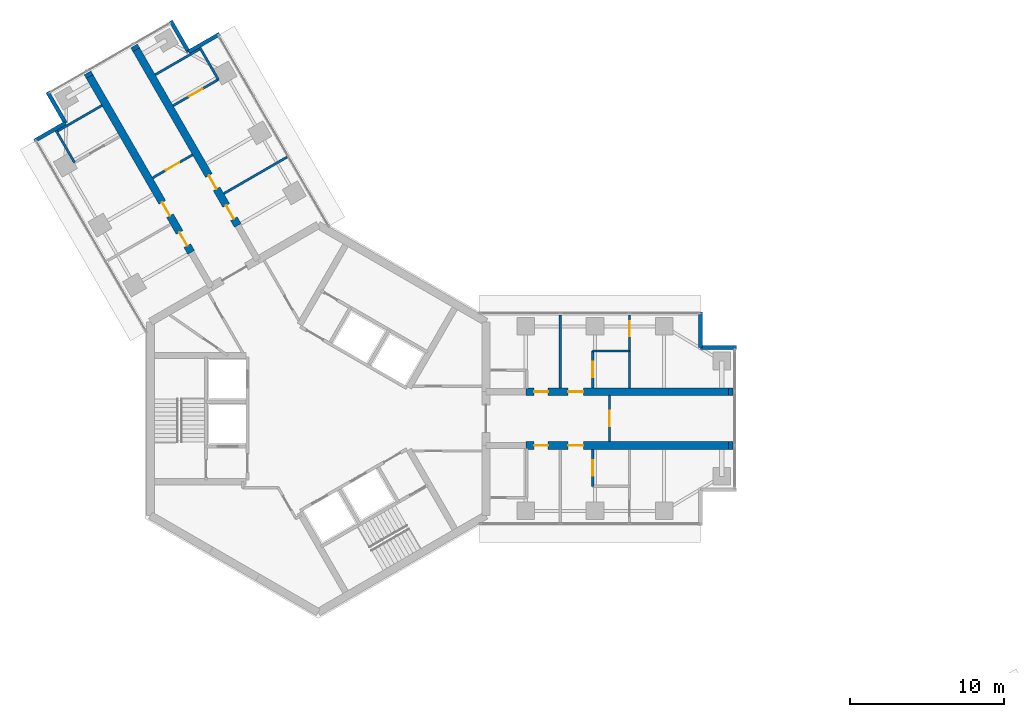
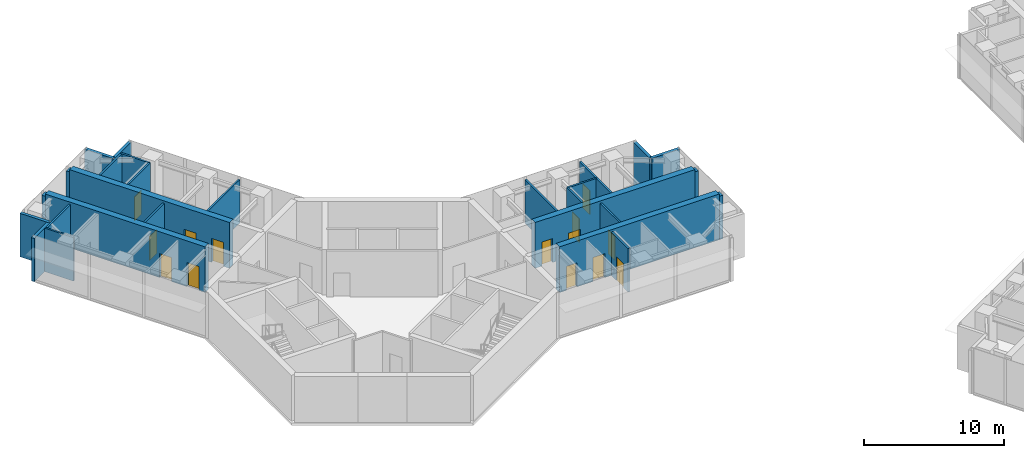
# One storey, part 13 of 17: 27 walls, 14 doors, 14 openings.
"""IFC4 building model written with IfcOpenShell, lengths in metres."""

from ifc_helpers import new_model, si_unit, direction, frame, frame_2d, origin, place, context, subcontext, project, spatial, rectangle, extrude, material, layer, layer_set, type_object, element, fill, save


model = new_model("IFC4")

# Units and contexts
model_context = context("Model", 3, precision=1e-05, world=origin(), true_north=direction((0.0, 1.0)))
body_context = subcontext(model_context, "Body", "Model", "MODEL_VIEW")
ifc_project = project(units=[si_unit("LENGTHUNIT", "METRE"), si_unit("AREAUNIT", "SQUARE_METRE"), si_unit("VOLUMEUNIT", "CUBIC_METRE"), si_unit("PLANEANGLEUNIT", "RADIAN"), si_unit("MASSUNIT", "GRAM", prefix="KILO")], contexts=[model_context])

# Site, building, storey
site_placement = place(None, origin())
site = spatial("IfcSite", under=ifc_project, at=site_placement, CompositionType="ELEMENT")
building_placement = place(site_placement, origin())
building = spatial("IfcBuilding", under=site, at=building_placement, Name="Upepo Twin Towers", CompositionType="ELEMENT")
storey_placement = place(building_placement, frame((0.0, 0.0, 214.5)))
storey = spatial("IfcBuildingStorey", under=building, at=storey_placement, Name="L52", CompositionType="ELEMENT", Elevation=214.5)

# Walls
ifc_material_1 = material(Name="Dense concrete blockwork", Category="masonry")
ifc_layer_1 = layer(ifc_material_1, 0.5)
ifc_layer_set_1 = layer_set([ifc_layer_1], Name="Buttress closer 500, blockwork with fire-stopping to the curtain wall")
wall_type_1 = type_object("IfcWallType", Name="Buttress closer 500, blockwork with fire-stopping to the curtain wall", PredefinedType="PARTITIONING", material=ifc_layer_set_1)
for number, where, z_axis, x_axis, name in (
    (1, (26.699951171875, 1.75, 0.0), (0.0, 0.0, 1.0), (1.0, 0.0, 0.0), "T1 L52 wing A buttress closer L"),
    (2, (26.699951171875, -1.75, 0.0), (0.0, 0.0, 1.0), (1.0, 0.0, 0.0), "T1 L52 wing A buttress closer R"),
    (3, (-14.865478515625, 22.247802734375, 0.0), (0.0, 0.0, 1.0), (-0.500065409566, 0.86598763626, 0.0), "T1 L52 wing B buttress closer L"),
    (4, (-11.83447265625, 23.997802734375, 0.0), (0.0, 0.0, 1.0), (-0.500065409566, 0.86598763626, 0.0), "T1 L52 wing B buttress closer R"),
):
    element("IfcWall", number, at=place(storey_placement, frame(where, z_axis=z_axis, x_axis=x_axis)), inside=storey, type_object=wall_type_1, Name=name, PredefinedType="PARTITIONING", context=body_context, shape_type="SweptSolid", body=[
        extrude(rectangle(XDim=0.28759765625, YDim=0.5, at=frame_2d((0.143798828125, 0.0))), origin(), (0.0, 0.0, 1.0), 3.800048828125),
    ])

# Wall, openings, doors
ifc_material_2 = material(Name="Concrete C60/75", Category="concrete")
ifc_layer_2 = layer(ifc_material_2, 0.5)
ifc_layer_set_2 = layer_set([ifc_layer_2], Name="Concrete C60/75")
wall_type_2 = type_object("IfcWallType", Name="Buttress wall 500 RC", PredefinedType="SHEAR", material=ifc_layer_set_2)
wall_1_placement = place(storey_placement, frame((13.5, 1.75, 0.0), z_axis=(0.0, 0.0, 1.0), x_axis=(1.0, 0.0, 0.0)))
wall_1 = element("IfcWall", 5, at=wall_1_placement, inside=storey, type_object=wall_type_2, Name="T1 wing A buttress wall L part 2", PredefinedType="SHEAR", context=body_context, shape_type="SweptSolid", body=[
    extrude(rectangle(XDim=13.199951171875, YDim=0.5, at=frame_2d((6.60009765625, 0.0))), origin(), (0.0, 0.0, 1.0), 4.0),
])
opening_1_placement = place(wall_1_placement, frame((0.550048828125, 0.0, 0.0)))
opening_1 = element("IfcOpeningElement", 6, at=opening_1_placement, cuts=wall_1, Name="Opening D11", PredefinedType="OPENING", context=body_context, shape_type="SweptSolid", body=[
    extrude(rectangle(XDim=0.89990234375, YDim=2.10009765625, at=frame_2d((0.449951171875, 1.050048828125))), frame((0.0, 0.260009765625, 0.0), z_axis=(0.0, -1.0, 0.0), x_axis=(1.0, 0.0, 0.0)), (0.0, 0.0, 1.0), 0.52001953125),
])
opening_2_placement = place(wall_1_placement, frame((2.75, 0.0, 0.0)))
opening_2 = element("IfcOpeningElement", 7, at=opening_2_placement, cuts=wall_1, Name="Opening D1", PredefinedType="OPENING", context=body_context, shape_type="SweptSolid", body=[
    extrude(rectangle(XDim=1.0, YDim=2.10009765625, at=frame_2d((0.5, 1.050048828125))), frame((0.0, 0.260009765625, 0.0), z_axis=(0.0, -1.0, 0.0), x_axis=(1.0, 0.0, 0.0)), (0.0, 0.0, 1.0), 0.52001953125),
])
ifc_material_3 = material(Name="Timber doorset", Category="wood")
door_type_1 = type_object("IfcDoorType", Name="Room door 1000 FD30", OperationType="SINGLE_SWING_LEFT", PredefinedType="DOOR", material=ifc_material_3)
door_1_placement = place(opening_2_placement, origin())
door_1 = element("IfcDoor", 8, at=door_1_placement, inside=storey, type_object=door_type_1, Name="T1 L52 seminar room door", OperationType="SINGLE_SWING_LEFT", OverallHeight=2.10009765625, OverallWidth=1.0, PredefinedType="DOOR", context=body_context, shape_type="SweptSolid", body=[
    extrude(rectangle(XDim=1.0, YDim=2.10009765625, at=frame_2d((0.5, 1.050048828125))), frame((0.0, 0.02490234375, 0.0), z_axis=(0.0, -1.0, 0.0), x_axis=(1.0, 0.0, 0.0)), (0.0, 0.0, 1.0), 0.050048828125),
])
fill(opening_2, door_1)
ifc_material_4 = material(Name="Timber doorset", Category="wood")
door_type_2 = type_object("IfcDoorType", Name="Toilet door 900", OperationType="SINGLE_SWING_LEFT", PredefinedType="DOOR", material=ifc_material_4)
door_2_placement = place(opening_1_placement, origin())
door_2 = element("IfcDoor", 9, at=door_2_placement, inside=storey, type_object=door_type_2, Name="T1 L52 toilets door", OperationType="SINGLE_SWING_LEFT", OverallHeight=2.10009765625, OverallWidth=0.89990234375, PredefinedType="DOOR", context=body_context, shape_type="SweptSolid", body=[
    extrude(rectangle(XDim=0.89990234375, YDim=2.10009765625, at=frame_2d((0.449951171875, 1.050048828125))), frame((0.0, 0.02490234375, 0.0), z_axis=(0.0, -1.0, 0.0), x_axis=(1.0, 0.0, 0.0)), (0.0, 0.0, 1.0), 0.050048828125),
])
fill(opening_1, door_2)

wall_2_placement = place(storey_placement, frame((13.5, -1.75, 0.0), z_axis=(0.0, 0.0, 1.0), x_axis=(1.0, 0.0, 0.0)))
wall_2 = element("IfcWall", 10, at=wall_2_placement, inside=storey, type_object=wall_type_2, Name="T1 wing A buttress wall R part 2", PredefinedType="SHEAR", context=body_context, shape_type="SweptSolid", body=[
    extrude(rectangle(XDim=13.199951171875, YDim=0.5, at=frame_2d((6.60009765625, 0.0))), origin(), (0.0, 0.0, 1.0), 4.0),
])
opening_3_placement = place(wall_2_placement, frame((0.550048828125, 0.0, 0.0)))
opening_3 = element("IfcOpeningElement", 11, at=opening_3_placement, cuts=wall_2, Name="Opening D11", PredefinedType="OPENING", context=body_context, shape_type="SweptSolid", body=[
    extrude(rectangle(XDim=0.89990234375, YDim=2.10009765625, at=frame_2d((0.449951171875, 1.050048828125))), frame((0.0, 0.260009765625, 0.0), z_axis=(0.0, -1.0, 0.0), x_axis=(1.0, 0.0, 0.0)), (0.0, 0.0, 1.0), 0.52001953125),
])
opening_4_placement = place(wall_2_placement, frame((2.75, 0.0, 0.0)))
opening_4 = element("IfcOpeningElement", 12, at=opening_4_placement, cuts=wall_2, Name="Opening D1", PredefinedType="OPENING", context=body_context, shape_type="SweptSolid", body=[
    extrude(rectangle(XDim=1.0, YDim=2.10009765625, at=frame_2d((0.5, 1.050048828125))), frame((0.0, 0.260009765625, 0.0), z_axis=(0.0, -1.0, 0.0), x_axis=(1.0, 0.0, 0.0)), (0.0, 0.0, 1.0), 0.52001953125),
])
door_3_placement = place(opening_4_placement, origin())
door_3 = element("IfcDoor", 13, at=door_3_placement, inside=storey, type_object=door_type_1, Name="T1 L52 tutorial room door", OperationType="SINGLE_SWING_LEFT", OverallHeight=2.10009765625, OverallWidth=1.0, PredefinedType="DOOR", context=body_context, shape_type="SweptSolid", body=[
    extrude(rectangle(XDim=1.0, YDim=2.10009765625, at=frame_2d((0.5, 1.050048828125))), frame((0.0, 0.02490234375, 0.0), z_axis=(0.0, -1.0, 0.0), x_axis=(1.0, 0.0, 0.0)), (0.0, 0.0, 1.0), 0.050048828125),
])
fill(opening_4, door_3)
door_4_placement = place(opening_3_placement, origin())
door_4 = element("IfcDoor", 14, at=door_4_placement, inside=storey, type_object=door_type_2, Name="T1 L52 accessible wc door", OperationType="SINGLE_SWING_LEFT", OverallHeight=2.10009765625, OverallWidth=0.89990234375, PredefinedType="DOOR", context=body_context, shape_type="SweptSolid", body=[
    extrude(rectangle(XDim=0.89990234375, YDim=2.10009765625, at=frame_2d((0.449951171875, 1.050048828125))), frame((0.0, 0.02490234375, 0.0), z_axis=(0.0, -1.0, 0.0), x_axis=(1.0, 0.0, 0.0)), (0.0, 0.0, 1.0), 0.050048828125),
])
fill(opening_3, door_4)

wall_3_placement = place(storey_placement, frame((-8.265625, 10.81640625, 0.0), z_axis=(0.0, 0.0, 1.0), x_axis=(-0.499996231654, 0.866027579429, 0.0)))
wall_3 = element("IfcWall", 15, at=wall_3_placement, inside=storey, type_object=wall_type_2, Name="T1 wing B buttress wall L part 2", PredefinedType="SHEAR", context=body_context, shape_type="SweptSolid", body=[
    extrude(rectangle(XDim=13.19970703125, YDim=0.5, at=frame_2d((6.599853515625, 0.0))), origin(), (0.0, 0.0, 1.0), 4.0),
])
opening_5_placement = place(wall_3_placement, frame((0.5, 0.0, 0.0)))
opening_5 = element("IfcOpeningElement", 16, at=opening_5_placement, cuts=wall_3, Name="Opening D1", PredefinedType="OPENING", context=body_context, shape_type="SweptSolid", body=[
    extrude(rectangle(XDim=1.0, YDim=2.10009765625, at=frame_2d((0.5, 1.050048828125))), frame((0.0, 0.260009765625, 0.0), z_axis=(0.0, -1.0, 0.0), x_axis=(1.0, 0.0, 0.0)), (0.0, 0.0, 1.0), 0.52001953125),
])
opening_6_placement = place(wall_3_placement, frame((2.75, 0.0, 0.0)))
opening_6 = element("IfcOpeningElement", 17, at=opening_6_placement, cuts=wall_3, Name="Opening D1", PredefinedType="OPENING", context=body_context, shape_type="SweptSolid", body=[
    extrude(rectangle(XDim=1.0, YDim=2.10009765625, at=frame_2d((0.5, 1.050048828125))), frame((0.0, 0.260009765625, 0.0), z_axis=(0.0, -1.0, 0.0), x_axis=(1.0, 0.0, 0.0)), (0.0, 0.0, 1.0), 0.52001953125),
])
door_5_placement = place(opening_5_placement, origin())
door_5 = element("IfcDoor", 18, at=door_5_placement, inside=storey, type_object=door_type_1, Name="T1 L52 seminar room door", OperationType="SINGLE_SWING_LEFT", OverallHeight=2.10009765625, OverallWidth=1.0, PredefinedType="DOOR", context=body_context, shape_type="SweptSolid", body=[
    extrude(rectangle(XDim=1.0, YDim=2.10009765625, at=frame_2d((0.5, 1.050048828125))), frame((0.0, 0.02490234375, 0.0), z_axis=(0.0, -1.0, 0.0), x_axis=(1.0, 0.0, 0.0)), (0.0, 0.0, 1.0), 0.050048828125),
])
fill(opening_5, door_5)
door_6_placement = place(opening_6_placement, origin())
door_6 = element("IfcDoor", 19, at=door_6_placement, inside=storey, type_object=door_type_1, Name="T1 L52 engineering studio door", OperationType="SINGLE_SWING_LEFT", OverallHeight=2.10009765625, OverallWidth=1.0, PredefinedType="DOOR", context=body_context, shape_type="SweptSolid", body=[
    extrude(rectangle(XDim=1.0, YDim=2.10009765625, at=frame_2d((0.5, 1.050048828125))), frame((0.0, 0.02490234375, 0.0), z_axis=(0.0, -1.0, 0.0), x_axis=(1.0, 0.0, 0.0)), (0.0, 0.0, 1.0), 0.050048828125),
])
fill(opening_6, door_6)

wall_4_placement = place(storey_placement, frame((-5.234375, 12.56640625, 0.0), z_axis=(0.0, 0.0, 1.0), x_axis=(-0.500010103361, 0.866019570528, 0.0)))
wall_4 = element("IfcWall", 20, at=wall_4_placement, inside=storey, type_object=wall_type_2, Name="T1 wing B buttress wall R part 2", PredefinedType="SHEAR", context=body_context, shape_type="SweptSolid", body=[
    extrude(rectangle(XDim=13.199951171875, YDim=0.5, at=frame_2d((6.60009765625, 0.0))), origin(), (0.0, 0.0, 1.0), 4.0),
])
opening_7_placement = place(wall_4_placement, frame((0.5, 0.0, 0.0)))
opening_7 = element("IfcOpeningElement", 21, at=opening_7_placement, cuts=wall_4, Name="Opening D1", PredefinedType="OPENING", context=body_context, shape_type="SweptSolid", body=[
    extrude(rectangle(XDim=1.0, YDim=2.10009765625, at=frame_2d((0.5, 1.050048828125))), frame((0.0, 0.260009765625, 0.0), z_axis=(0.0, -1.0, 0.0), x_axis=(1.0, 0.0, 0.0)), (0.0, 0.0, 1.0), 0.52001953125),
])
opening_8_placement = place(wall_4_placement, frame((2.75, 0.0, 0.0)))
opening_8 = element("IfcOpeningElement", 22, at=opening_8_placement, cuts=wall_4, Name="Opening D1", PredefinedType="OPENING", context=body_context, shape_type="SweptSolid", body=[
    extrude(rectangle(XDim=1.0, YDim=2.10009765625, at=frame_2d((0.5, 1.050048828125))), frame((0.0, 0.260009765625, 0.0), z_axis=(0.0, -1.0, 0.0), x_axis=(1.0, 0.0, 0.0)), (0.0, 0.0, 1.0), 0.52001953125),
])
door_7_placement = place(opening_7_placement, origin())
door_7 = element("IfcDoor", 23, at=door_7_placement, inside=storey, type_object=door_type_1, Name="T1 L52 staff office door", OperationType="SINGLE_SWING_LEFT", OverallHeight=2.10009765625, OverallWidth=1.0, PredefinedType="DOOR", context=body_context, shape_type="SweptSolid", body=[
    extrude(rectangle(XDim=1.0, YDim=2.10009765625, at=frame_2d((0.5, 1.050048828125))), frame((0.0, 0.02490234375, 0.0), z_axis=(0.0, -1.0, 0.0), x_axis=(1.0, 0.0, 0.0)), (0.0, 0.0, 1.0), 0.050048828125),
])
fill(opening_7, door_7)
door_8_placement = place(opening_8_placement, origin())
door_8 = element("IfcDoor", 24, at=door_8_placement, inside=storey, type_object=door_type_1, Name="T1 L52 engineering studio door", OperationType="SINGLE_SWING_LEFT", OverallHeight=2.10009765625, OverallWidth=1.0, PredefinedType="DOOR", context=body_context, shape_type="SweptSolid", body=[
    extrude(rectangle(XDim=1.0, YDim=2.10009765625, at=frame_2d((0.5, 1.050048828125))), frame((0.0, 0.02490234375, 0.0), z_axis=(0.0, -1.0, 0.0), x_axis=(1.0, 0.0, 0.0)), (0.0, 0.0, 1.0), 0.050048828125),
])
fill(opening_8, door_8)

# Walls
ifc_material_5 = material(Name="Blockwork with anodised aluminium cladding", Category="masonry")
ifc_layer_3 = layer(ifc_material_5, 0.25)
ifc_layer_set_3 = layer_set([ifc_layer_3], Name="Notch cladding wall 250, pale metal")
wall_type_3 = type_object("IfcWallType", Name="Notch cladding wall 250, pale metal", PredefinedType="STANDARD", material=ifc_layer_set_3)
for number, where, z_axis, x_axis, name in (
    (25, (24.875, 6.949951171875, 0.0), (0.0, 0.0, 1.0), (0.0, -1.0, 0.0), "T1 L52 wing A notch wall L1"),
    (26, (24.875, 4.625, 0.0), (0.0, 0.0, 1.0), (1.0, 0.0, 0.0), "T1 L52 wing A notch wall L2"),
    (27, (-18.456298828125, 18.0673828125, 0.0), (0.0, 0.0, 1.0), (0.865998469481, 0.500046648681, 0.0), "T1 L52 wing B notch wall L1"),
    (28, (-16.44287109375, 19.22998046875, 0.0), (0.0, 0.0, 1.0), (-0.500046648681, 0.865998469481, 0.0), "T1 L52 wing B notch wall L2"),
    (29, (-6.418701171875, 25.017333984375, 0.0), (0.0, 0.0, 1.0), (-0.866043940782, -0.499967891604, 0.0), "T1 L52 wing B notch wall R1"),
    (30, (-8.43212890625, 23.85498046875, 0.0), (0.0, 0.0, 1.0), (-0.500046648681, 0.865998469481, 0.0), "T1 L52 wing B notch wall R2"),
):
    element("IfcWall", number, at=place(storey_placement, frame(where, z_axis=z_axis, x_axis=x_axis)), inside=storey, type_object=wall_type_3, Name=name, PredefinedType="STANDARD", context=body_context, shape_type="SweptSolid", body=[
        extrude(rectangle(XDim=2.324951171875, YDim=0.25, at=frame_2d((1.16259765625, 0.0))), origin(), (0.0, 0.0, 1.0), 3.800048828125),
    ])
ifc_material_6 = material(Name="Gypsum board on steel studs", Category="steel")
ifc_layer_4 = layer(ifc_material_6, 0.14990234375)
ifc_layer_set_4 = layer_set([ifc_layer_4], Name="Teaching partition 150 acoustic")
wall_type_4 = type_object("IfcWallType", Name="Teaching partition 150 acoustic", PredefinedType="PARTITIONING", material=ifc_layer_set_4)
wall_5_placement = place(storey_placement, frame((15.75, 2.0, 0.0), z_axis=(0.0, 0.0, 1.0), x_axis=(0.0, 1.0, 0.0)))
element("IfcWall", 31, at=wall_5_placement, inside=storey, type_object=wall_type_4, Name="T1 partition AL at 15.75", PredefinedType="PARTITIONING", context=body_context, shape_type="SweptSolid", body=[
    extrude(rectangle(XDim=4.75, YDim=0.14990234375, at=frame_2d((2.375, 0.0))), origin(), (0.0, 0.0, 1.0), 3.800048828125),
])

# Wall, opening, door
wall_6_placement = place(storey_placement, frame((20.25, 2.0, 0.0), z_axis=(0.0, 0.0, 1.0), x_axis=(0.0, 1.0, 0.0)))
wall_6 = element("IfcWall", 32, at=wall_6_placement, inside=storey, type_object=wall_type_4, Name="T1 partition AL at 20.25", PredefinedType="PARTITIONING", context=body_context, shape_type="SweptSolid", body=[
    extrude(rectangle(XDim=4.75, YDim=0.14990234375, at=frame_2d((2.375, 0.0))), origin(), (0.0, 0.0, 1.0), 3.800048828125),
])
opening_9_placement = place(wall_6_placement, frame((3.35009765625, 0.0, 0.0)))
opening_9 = element("IfcOpeningElement", 33, at=opening_9_placement, cuts=wall_6, Name="Opening D1", PredefinedType="OPENING", context=body_context, shape_type="SweptSolid", body=[
    extrude(rectangle(XDim=1.0, YDim=2.10009765625, at=frame_2d((0.5, 1.050048828125))), frame((0.0, 0.0849609375, 0.0), z_axis=(0.0, -1.0, 0.0), x_axis=(1.0, 0.0, 0.0)), (0.0, 0.0, 1.0), 0.169921875),
])
door_9_placement = place(opening_9_placement, origin())
door_9 = element("IfcDoor", 34, at=door_9_placement, inside=storey, type_object=door_type_1, Name="T1 L52 connecting door", OperationType="SINGLE_SWING_RIGHT", OverallHeight=2.10009765625, OverallWidth=1.0, PredefinedType="DOOR", context=body_context, shape_type="SweptSolid", body=[
    extrude(rectangle(XDim=1.0, YDim=2.10009765625, at=frame_2d((0.5, 1.050048828125))), frame((0.0, 0.02490234375, 0.0), z_axis=(0.0, -1.0, 0.0), x_axis=(1.0, 0.0, 0.0)), (0.0, 0.0, 1.0), 0.050048828125),
])
fill(opening_9, door_9)

# Wall
wall_7_placement = place(storey_placement, frame((17.85009765625, 4.39990234375, 0.0), z_axis=(0.0, 0.0, 1.0), x_axis=(1.0, 0.0, 0.0)))
element("IfcWall", 35, at=wall_7_placement, inside=storey, type_object=wall_type_4, Name="T1 inner room partition AL at 17.85", PredefinedType="PARTITIONING", context=body_context, shape_type="SweptSolid", body=[
    extrude(rectangle(XDim=2.39990234375, YDim=0.14990234375, at=frame_2d((1.199951171875, 0.0))), origin(), (0.0, 0.0, 1.0), 3.800048828125),
])

# Wall, opening, door
wall_8_placement = place(storey_placement, frame((17.85009765625, 2.0, 0.0), z_axis=(0.0, 0.0, 1.0), x_axis=(0.0, 1.0, 0.0)))
wall_8 = element("IfcWall", 36, at=wall_8_placement, inside=storey, type_object=wall_type_4, Name="T1 inner room partition AL end at 17.85", PredefinedType="PARTITIONING", context=body_context, shape_type="SweptSolid", body=[
    extrude(rectangle(XDim=2.39990234375, YDim=0.14990234375, at=frame_2d((1.199951171875, 0.0))), origin(), (0.0, 0.0, 1.0), 3.800048828125),
])
opening_10_placement = place(wall_8_placement, frame((0.699951171875, 0.0, 0.0)))
opening_10 = element("IfcOpeningElement", 37, at=opening_10_placement, cuts=wall_8, Name="Opening D1", PredefinedType="OPENING", context=body_context, shape_type="SweptSolid", body=[
    extrude(rectangle(XDim=1.0, YDim=2.10009765625, at=frame_2d((0.5, 1.050048828125))), frame((0.0, 0.0849609375, 0.0), z_axis=(0.0, -1.0, 0.0), x_axis=(1.0, 0.0, 0.0)), (0.0, 0.0, 1.0), 0.169921875),
])
door_10_placement = place(opening_10_placement, origin())
door_10 = element("IfcDoor", 38, at=door_10_placement, inside=storey, type_object=door_type_1, Name="T1 L52 inner room door", OperationType="SINGLE_SWING_LEFT", OverallHeight=2.10009765625, OverallWidth=1.0, PredefinedType="DOOR", context=body_context, shape_type="SweptSolid", body=[
    extrude(rectangle(XDim=1.0, YDim=2.10009765625, at=frame_2d((0.5, 1.050048828125))), frame((0.0, 0.02490234375, 0.0), z_axis=(0.0, -1.0, 0.0), x_axis=(1.0, 0.0, 0.0)), (0.0, 0.0, 1.0), 0.050048828125),
])
fill(opening_10, door_10)

wall_9_placement = place(storey_placement, frame((17.85009765625, -2.0, 0.0), z_axis=(0.0, 0.0, 1.0), x_axis=(0.0, -1.0, 0.0)))
wall_9 = element("IfcWall", 39, at=wall_9_placement, inside=storey, type_object=wall_type_4, Name="T1 inner room partition AR end at 17.85", PredefinedType="PARTITIONING", context=body_context, shape_type="SweptSolid", body=[
    extrude(rectangle(XDim=2.39990234375, YDim=0.14990234375, at=frame_2d((1.199951171875, 0.0))), origin(), (0.0, 0.0, 1.0), 3.800048828125),
])
opening_11_placement = place(wall_9_placement, frame((0.699951171875, 0.0, 0.0)))
opening_11 = element("IfcOpeningElement", 40, at=opening_11_placement, cuts=wall_9, Name="Opening D1", PredefinedType="OPENING", context=body_context, shape_type="SweptSolid", body=[
    extrude(rectangle(XDim=1.0, YDim=2.10009765625, at=frame_2d((0.5, 1.050048828125))), frame((0.0, 0.0849609375, 0.0), z_axis=(0.0, -1.0, 0.0), x_axis=(1.0, 0.0, 0.0)), (0.0, 0.0, 1.0), 0.169921875),
])
door_11_placement = place(opening_11_placement, origin())
door_11 = element("IfcDoor", 41, at=door_11_placement, inside=storey, type_object=door_type_1, Name="T1 L52 inner room door", OperationType="SINGLE_SWING_LEFT", OverallHeight=2.10009765625, OverallWidth=1.0, PredefinedType="DOOR", context=body_context, shape_type="SweptSolid", body=[
    extrude(rectangle(XDim=1.0, YDim=2.10009765625, at=frame_2d((0.5, 1.050048828125))), frame((0.0, 0.02490234375, 0.0), z_axis=(0.0, -1.0, 0.0), x_axis=(1.0, 0.0, 0.0)), (0.0, 0.0, 1.0), 0.050048828125),
])
fill(opening_11, door_11)

# Walls
wall_10_placement = place(storey_placement, frame((-15.8515625, 16.65576171875, 0.0), z_axis=(0.0, 0.0, 1.0), x_axis=(-0.500001309137, 0.866024647952, 0.0)))
element("IfcWall", 42, at=wall_10_placement, inside=storey, type_object=wall_type_4, Name="T1 inner room partition BL at 22.35", PredefinedType="PARTITIONING", context=body_context, shape_type="SweptSolid", body=[
    extrude(rectangle(XDim=2.39990234375, YDim=0.14990234375, at=frame_2d((1.199951171875, 0.0))), origin(), (0.0, 0.0, 1.0), 3.800048828125),
])
wall_11_placement = place(storey_placement, frame((-14.069580078125, 20.369140625, 0.0), z_axis=(0.0, 0.0, 1.0), x_axis=(-0.866020560687, -0.500008388397, 0.0)))
element("IfcWall", 43, at=wall_11_placement, inside=storey, type_object=wall_type_4, Name="T1 inner room partition BL end at 24.75", PredefinedType="PARTITIONING", context=body_context, shape_type="SweptSolid", body=[
    extrude(rectangle(XDim=3.39990234375, YDim=0.14990234375, at=frame_2d((1.699951171875, 0.0))), origin(), (0.0, 0.0, 1.0), 3.800048828125),
])
wall_12_placement = place(storey_placement, frame((-6.14306640625, 14.639892578125, 0.0), z_axis=(0.0, 0.0, 1.0), x_axis=(0.866033238375, 0.499986429846, 0.0)))
element("IfcWall", 44, at=wall_12_placement, inside=storey, type_object=wall_type_4, Name="T1 partition BR at 15.75", PredefinedType="PARTITIONING", context=body_context, shape_type="SweptSolid", body=[
    extrude(rectangle(XDim=4.750244140625, YDim=0.14990234375, at=frame_2d((2.375, 0.0))), origin(), (0.0, 0.0, 1.0), 3.800048828125),
])
wall_13_placement = place(storey_placement, frame((-6.49853515625, 22.0556640625, 0.0), z_axis=(0.0, 0.0, 1.0), x_axis=(-0.500001309137, 0.866024647952, 0.0)))
element("IfcWall", 45, at=wall_13_placement, inside=storey, type_object=wall_type_4, Name="T1 inner room partition BR at 22.35", PredefinedType="PARTITIONING", context=body_context, shape_type="SweptSolid", body=[
    extrude(rectangle(XDim=2.39990234375, YDim=0.14990234375, at=frame_2d((1.199951171875, 0.0))), origin(), (0.0, 0.0, 1.0), 3.800048828125),
])

# Wall, opening, door
wall_14_placement = place(storey_placement, frame((-9.44287109375, 20.355712890625, 0.0), z_axis=(0.0, 0.0, 1.0), x_axis=(0.866020560687, 0.500008388397, 0.0)))
wall_14 = element("IfcWall", 46, at=wall_14_placement, inside=storey, type_object=wall_type_4, Name="T1 inner room partition BR end at 22.35", PredefinedType="PARTITIONING", context=body_context, shape_type="SweptSolid", body=[
    extrude(rectangle(XDim=3.39990234375, YDim=0.14990234375, at=frame_2d((1.699951171875, 0.0))), origin(), (0.0, 0.0, 1.0), 3.800048828125),
])
opening_12_placement = place(wall_14_placement, frame((1.199951171875, 0.0, 0.0)))
opening_12 = element("IfcOpeningElement", 47, at=opening_12_placement, cuts=wall_14, Name="Opening D1", PredefinedType="OPENING", context=body_context, shape_type="SweptSolid", body=[
    extrude(rectangle(XDim=1.0, YDim=2.10009765625, at=frame_2d((0.5, 1.050048828125))), frame((0.0, 0.0849609375, 0.0), z_axis=(0.0, -1.0, 0.0), x_axis=(1.0, 0.0, 0.0)), (0.0, 0.0, 1.0), 0.169921875),
])
door_12_placement = place(opening_12_placement, origin())
door_12 = element("IfcDoor", 48, at=door_12_placement, inside=storey, type_object=door_type_1, Name="T1 L52 inner room door", OperationType="SINGLE_SWING_LEFT", OverallHeight=2.10009765625, OverallWidth=1.0, PredefinedType="DOOR", context=body_context, shape_type="SweptSolid", body=[
    extrude(rectangle(XDim=1.0, YDim=2.10009765625, at=frame_2d((0.5, 1.050048828125))), frame((0.0, 0.02490234375, 0.0), z_axis=(0.0, -1.0, 0.0), x_axis=(1.0, 0.0, 0.0)), (0.0, 0.0, 1.0), 0.050048828125),
])
fill(opening_12, door_12)

# Wall
wall_15_placement = place(storey_placement, frame((-10.60546875, 22.369140625, 0.0), z_axis=(0.0, 0.0, 1.0), x_axis=(0.866038511948, 0.499977295307, 0.0)))
element("IfcWall", 49, at=wall_15_placement, inside=storey, type_object=wall_type_4, Name="T1 inner room partition BR end at 24.75", PredefinedType="PARTITIONING", context=body_context, shape_type="SweptSolid", body=[
    extrude(rectangle(XDim=3.400146484375, YDim=0.14990234375, at=frame_2d((1.7001953125, 0.0))), origin(), (0.0, 0.0, 1.0), 3.800048828125),
])

# Wall, opening, door
wall_16_placement = place(storey_placement, frame((18.949951171875, -1.5, 0.0), z_axis=(0.0, 0.0, 1.0), x_axis=(0.0, 1.0, 0.0)))
wall_16 = element("IfcWall", 50, at=wall_16_placement, inside=storey, type_object=wall_type_4, Name="T1 corridor end partition A at 18.95", PredefinedType="PARTITIONING", context=body_context, shape_type="SweptSolid", body=[
    extrude(rectangle(XDim=3.0, YDim=0.14990234375, at=frame_2d((1.5, 0.0))), origin(), (0.0, 0.0, 1.0), 3.800048828125),
])
opening_13_placement = place(wall_16_placement, frame((1.0, 0.0, 0.0)))
opening_13 = element("IfcOpeningElement", 51, at=opening_13_placement, cuts=wall_16, Name="Opening D1", PredefinedType="OPENING", context=body_context, shape_type="SweptSolid", body=[
    extrude(rectangle(XDim=1.0, YDim=2.10009765625, at=frame_2d((0.5, 1.050048828125))), frame((0.0, 0.0849609375, 0.0), z_axis=(0.0, -1.0, 0.0), x_axis=(1.0, 0.0, 0.0)), (0.0, 0.0, 1.0), 0.169921875),
])
door_13_placement = place(opening_13_placement, origin())
door_13 = element("IfcDoor", 52, at=door_13_placement, inside=storey, type_object=door_type_1, Name="T1 L52 breakout study room door", OperationType="SINGLE_SWING_LEFT", OverallHeight=2.10009765625, OverallWidth=1.0, PredefinedType="DOOR", context=body_context, shape_type="SweptSolid", body=[
    extrude(rectangle(XDim=1.0, YDim=2.10009765625, at=frame_2d((0.5, 1.050048828125))), frame((0.0, 0.02490234375, 0.0), z_axis=(0.0, -1.0, 0.0), x_axis=(1.0, 0.0, 0.0)), (0.0, 0.0, 1.0), 0.050048828125),
])
fill(opening_13, door_13)

wall_17_placement = place(storey_placement, frame((-8.176025390625, 17.1611328125, 0.0), z_axis=(0.0, 0.0, 1.0), x_axis=(-0.866010750942, -0.50002537861, 0.0)))
wall_17 = element("IfcWall", 53, at=wall_17_placement, inside=storey, type_object=wall_type_4, Name="T1 corridor end partition B at 18.95", PredefinedType="PARTITIONING", context=body_context, shape_type="SweptSolid", body=[
    extrude(rectangle(XDim=2.999755859375, YDim=0.14990234375, at=frame_2d((1.5, 0.0))), origin(), (0.0, 0.0, 1.0), 3.800048828125),
])
opening_14_placement = place(wall_17_placement, frame((1.0, 0.0, 0.0)))
opening_14 = element("IfcOpeningElement", 54, at=opening_14_placement, cuts=wall_17, Name="Opening D1", PredefinedType="OPENING", context=body_context, shape_type="SweptSolid", body=[
    extrude(rectangle(XDim=1.0, YDim=2.10009765625, at=frame_2d((0.5, 1.050048828125))), frame((0.0, 0.0849609375, 0.0), z_axis=(0.0, -1.0, 0.0), x_axis=(1.0, 0.0, 0.0)), (0.0, 0.0, 1.0), 0.169921875),
])
door_14_placement = place(opening_14_placement, origin())
door_14 = element("IfcDoor", 55, at=door_14_placement, inside=storey, type_object=door_type_1, Name="T1 L52 breakout study room door", OperationType="SINGLE_SWING_RIGHT", OverallHeight=2.10009765625, OverallWidth=1.0, PredefinedType="DOOR", context=body_context, shape_type="SweptSolid", body=[
    extrude(rectangle(XDim=1.0, YDim=2.10009765625, at=frame_2d((0.5, 1.050048828125))), frame((0.0, 0.02490234375, 0.0), z_axis=(0.0, -1.0, 0.0), x_axis=(1.0, 0.0, 0.0)), (0.0, 0.0, 1.0), 0.050048828125),
])
fill(opening_14, door_14)

save(model, "model.ifc")
